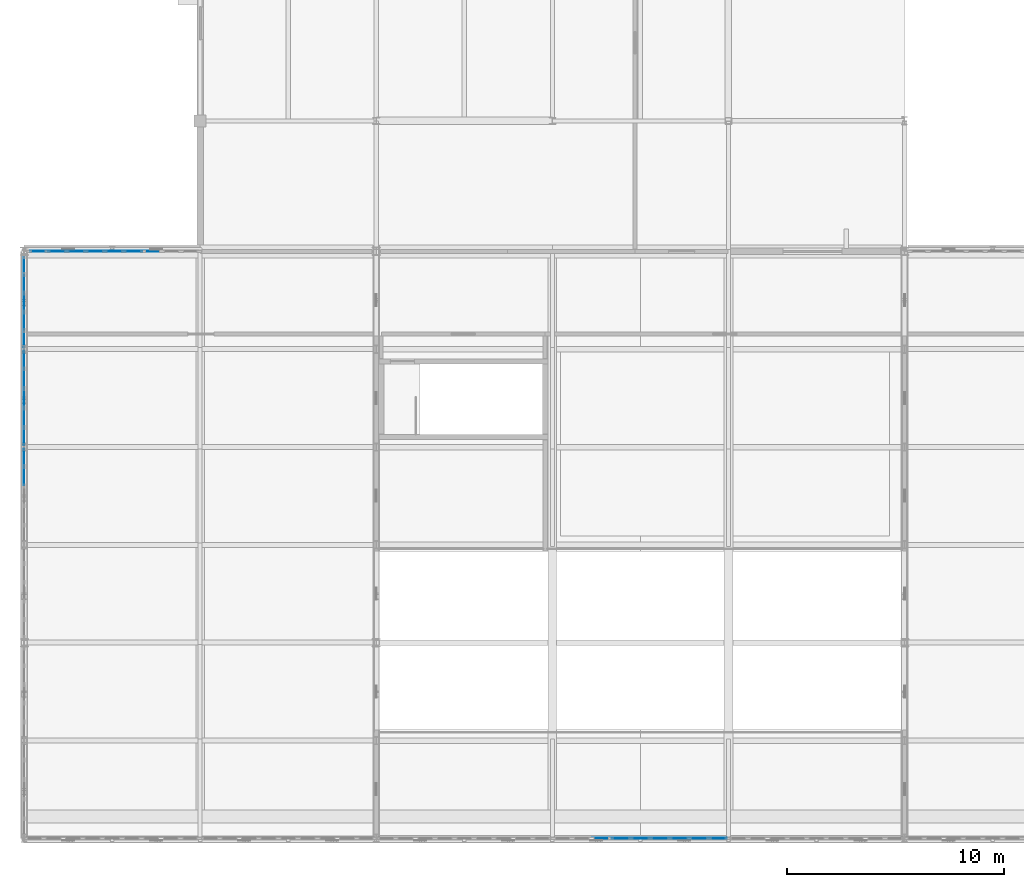
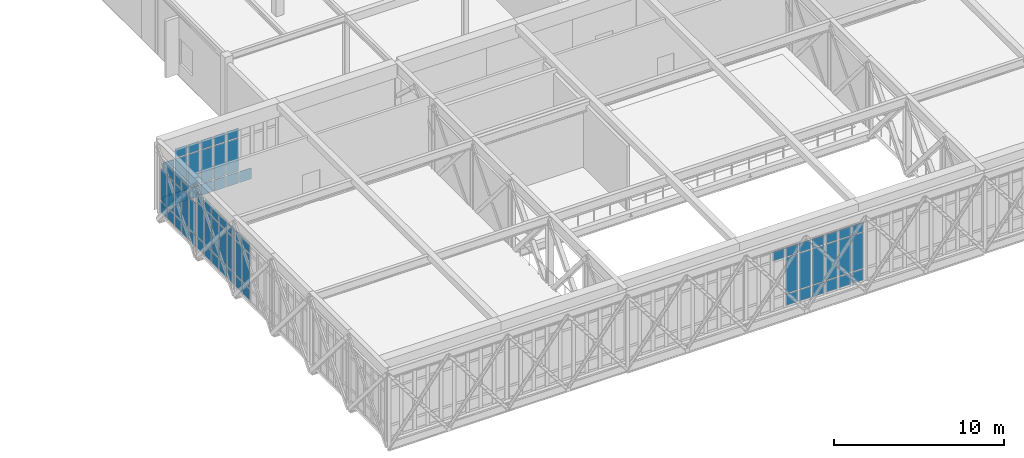
# One storey, part 42 of 70: 71 plates, 5 elements without a shape of their own.
"""IFC4 building model written with IfcOpenShell, lengths in metres."""

from ifc_helpers import new_model, si_unit, direction, frame, origin, origin_2d, place, context, subcontext, project, spatial, rectangle, extrude, material, layer, layer_set, type_object, element, aggregate, save


model = new_model("IFC4")

# Units and contexts
model_context = context("Model", 3, precision=1e-05, world=origin(), true_north=direction((0.0, 1.0)))
body_context = subcontext(model_context, "Body", "Model", "MODEL_VIEW")
ifc_project = project(units=[si_unit("LENGTHUNIT", "METRE"), si_unit("AREAUNIT", "SQUARE_METRE"), si_unit("VOLUMEUNIT", "CUBIC_METRE"), si_unit("PLANEANGLEUNIT", "RADIAN"), si_unit("MASSUNIT", "GRAM", prefix="KILO")], contexts=[model_context])

# Site, building, storey
site_placement = place(None, origin())
site = spatial("IfcSite", under=ifc_project, at=site_placement, CompositionType="ELEMENT")
building_placement = place(site_placement, origin())
building = spatial("IfcBuilding", under=site, at=building_placement, Name="Tarnveldt Square Police Headquarters", CompositionType="ELEMENT")
storey_placement = place(building_placement, frame((0.0, 0.0, 19.800048828125)))
storey = spatial("IfcBuildingStorey", under=building, at=storey_placement, Name="L04", CompositionType="ELEMENT", Elevation=19.800048828125)

# Curtain wall, plates
ifc_material_1 = material(Name="UL 752 Level III laminated ballistic vision glass", Category="glass")
curtain_wall_type_1 = type_object("IfcCurtainWallType", Name="CW-BL-810x429", PredefinedType="USERDEFINED", material=ifc_material_1)
curtain_wall_1_placement = place(storey_placement, origin())
curtain_wall_1 = element("IfcCurtainWall", 1, at=curtain_wall_1_placement, inside=storey, type_object=curtain_wall_type_1, Name="L04 Curtain Wall CW-L04-043", ObjectType="BALLISTIC CURTAIN WALL", PredefinedType="USERDEFINED")
ifc_layer_1 = layer(ifc_material_1, 0.0380859375)
ifc_layer_set_1 = layer_set([ifc_layer_1], Name="UL 752 Level III laminated ballistic vision glass")
plate_type_1 = type_object("IfcPlateType", Name="CWP-BAL-38", PredefinedType="CURTAIN_PANEL", material=ifc_layer_set_1)
plate_1_placement = place(storey_placement, frame((34.64990234375, 7.0, 3.576171875), z_axis=(0.0, 0.0, 1.0), x_axis=(1.0, 0.0, 0.0)))
plate_1 = element("IfcPlate", 2, at=plate_1_placement, type_object=plate_type_1, Name="CW-BL18 panel 3.3", PredefinedType="CURTAIN_PANEL", context=body_context, shape_type="SweptSolid", body=[
    extrude(rectangle(XDim=0.81494140625, YDim=0.0380859375, at=origin_2d()), origin(), (0.0, 0.0, 1.0), 0.637451171875),
])
plate_2_placement = place(storey_placement, frame((35.550048828125, 7.0, 0.074951171875), z_axis=(0.0, 0.0, 1.0), x_axis=(1.0, 0.0, 0.0)))
plate_2 = element("IfcPlate", 3, at=plate_2_placement, type_object=plate_type_1, Name="CW-BL18 panel 4.1", PredefinedType="CURTAIN_PANEL", context=body_context, shape_type="SweptSolid", body=[
    extrude(rectangle(XDim=0.81494140625, YDim=0.0380859375, at=origin_2d()), origin(), (0.0, 0.0, 1.0), 0.78759765625),
])
plate_3_placement = place(storey_placement, frame((35.550048828125, 7.0, 0.9375), z_axis=(0.0, 0.0, 1.0), x_axis=(1.0, 0.0, 0.0)))
plate_3 = element("IfcPlate", 4, at=plate_3_placement, type_object=plate_type_1, Name="CW-BL18 panel 4.2", PredefinedType="CURTAIN_PANEL", context=body_context, shape_type="SweptSolid", body=[
    extrude(rectangle(XDim=0.81494140625, YDim=0.0380859375, at=origin_2d()), origin(), (0.0, 0.0, 1.0), 2.5634765625),
])
plate_4_placement = place(storey_placement, frame((35.550048828125, 7.0, 3.576171875), z_axis=(0.0, 0.0, 1.0), x_axis=(1.0, 0.0, 0.0)))
plate_4 = element("IfcPlate", 5, at=plate_4_placement, type_object=plate_type_1, Name="CW-BL18 panel 4.3", PredefinedType="CURTAIN_PANEL", context=body_context, shape_type="SweptSolid", body=[
    extrude(rectangle(XDim=0.81494140625, YDim=0.0380859375, at=origin_2d()), origin(), (0.0, 0.0, 1.0), 0.637451171875),
])
plate_5_placement = place(storey_placement, frame((36.449951171875, 7.0, 0.074951171875), z_axis=(0.0, 0.0, 1.0), x_axis=(1.0, 0.0, 0.0)))
plate_5 = element("IfcPlate", 6, at=plate_5_placement, type_object=plate_type_1, Name="CW-BL18 panel 5.1", PredefinedType="CURTAIN_PANEL", context=body_context, shape_type="SweptSolid", body=[
    extrude(rectangle(XDim=0.81494140625, YDim=0.0380859375, at=origin_2d()), origin(), (0.0, 0.0, 1.0), 0.78759765625),
])
plate_6_placement = place(storey_placement, frame((36.449951171875, 7.0, 0.9375), z_axis=(0.0, 0.0, 1.0), x_axis=(1.0, 0.0, 0.0)))
plate_6 = element("IfcPlate", 7, at=plate_6_placement, type_object=plate_type_1, Name="CW-BL18 panel 5.2", PredefinedType="CURTAIN_PANEL", context=body_context, shape_type="SweptSolid", body=[
    extrude(rectangle(XDim=0.81494140625, YDim=0.0380859375, at=origin_2d()), origin(), (0.0, 0.0, 1.0), 2.5634765625),
])
plate_7_placement = place(storey_placement, frame((36.449951171875, 7.0, 3.576171875), z_axis=(0.0, 0.0, 1.0), x_axis=(1.0, 0.0, 0.0)))
plate_7 = element("IfcPlate", 8, at=plate_7_placement, type_object=plate_type_1, Name="CW-BL18 panel 5.3", PredefinedType="CURTAIN_PANEL", context=body_context, shape_type="SweptSolid", body=[
    extrude(rectangle(XDim=0.81494140625, YDim=0.0380859375, at=origin_2d()), origin(), (0.0, 0.0, 1.0), 0.637451171875),
])
plate_8_placement = place(storey_placement, frame((37.35009765625, 7.0, 0.074951171875), z_axis=(0.0, 0.0, 1.0), x_axis=(1.0, 0.0, 0.0)))
plate_8 = element("IfcPlate", 9, at=plate_8_placement, type_object=plate_type_1, Name="CW-BL18 panel 6.1", PredefinedType="CURTAIN_PANEL", context=body_context, shape_type="SweptSolid", body=[
    extrude(rectangle(XDim=0.81494140625, YDim=0.0380859375, at=origin_2d()), origin(), (0.0, 0.0, 1.0), 0.78759765625),
])
plate_9_placement = place(storey_placement, frame((37.35009765625, 7.0, 0.9375), z_axis=(0.0, 0.0, 1.0), x_axis=(1.0, 0.0, 0.0)))
plate_9 = element("IfcPlate", 10, at=plate_9_placement, type_object=plate_type_1, Name="CW-BL18 panel 6.2", PredefinedType="CURTAIN_PANEL", context=body_context, shape_type="SweptSolid", body=[
    extrude(rectangle(XDim=0.81494140625, YDim=0.0380859375, at=origin_2d()), origin(), (0.0, 0.0, 1.0), 2.5634765625),
])
plate_10_placement = place(storey_placement, frame((37.35009765625, 7.0, 3.576171875), z_axis=(0.0, 0.0, 1.0), x_axis=(1.0, 0.0, 0.0)))
plate_10 = element("IfcPlate", 11, at=plate_10_placement, type_object=plate_type_1, Name="CW-BL18 panel 6.3", PredefinedType="CURTAIN_PANEL", context=body_context, shape_type="SweptSolid", body=[
    extrude(rectangle(XDim=0.81494140625, YDim=0.0380859375, at=origin_2d()), origin(), (0.0, 0.0, 1.0), 0.637451171875),
])
plate_11_placement = place(storey_placement, frame((38.25, 7.0, 0.074951171875), z_axis=(0.0, 0.0, 1.0), x_axis=(1.0, 0.0, 0.0)))
plate_11 = element("IfcPlate", 12, at=plate_11_placement, type_object=plate_type_1, Name="CW-BL18 panel 7.1", PredefinedType="CURTAIN_PANEL", context=body_context, shape_type="SweptSolid", body=[
    extrude(rectangle(XDim=0.81494140625, YDim=0.0380859375, at=origin_2d()), origin(), (0.0, 0.0, 1.0), 0.78759765625),
])
plate_12_placement = place(storey_placement, frame((38.25, 7.0, 0.9375), z_axis=(0.0, 0.0, 1.0), x_axis=(1.0, 0.0, 0.0)))
plate_12 = element("IfcPlate", 13, at=plate_12_placement, type_object=plate_type_1, Name="CW-BL18 panel 7.2", PredefinedType="CURTAIN_PANEL", context=body_context, shape_type="SweptSolid", body=[
    extrude(rectangle(XDim=0.81494140625, YDim=0.0380859375, at=origin_2d()), origin(), (0.0, 0.0, 1.0), 2.5634765625),
])
plate_13_placement = place(storey_placement, frame((38.25, 7.0, 3.576171875), z_axis=(0.0, 0.0, 1.0), x_axis=(1.0, 0.0, 0.0)))
plate_13 = element("IfcPlate", 14, at=plate_13_placement, type_object=plate_type_1, Name="CW-BL18 panel 7.3", PredefinedType="CURTAIN_PANEL", context=body_context, shape_type="SweptSolid", body=[
    extrude(rectangle(XDim=0.81494140625, YDim=0.0380859375, at=origin_2d()), origin(), (0.0, 0.0, 1.0), 0.637451171875),
])
plate_14_placement = place(storey_placement, frame((39.14990234375, 7.0, 0.074951171875), z_axis=(0.0, 0.0, 1.0), x_axis=(1.0, 0.0, 0.0)))
plate_14 = element("IfcPlate", 15, at=plate_14_placement, type_object=plate_type_1, Name="CW-BL18 panel 8.1", PredefinedType="CURTAIN_PANEL", context=body_context, shape_type="SweptSolid", body=[
    extrude(rectangle(XDim=0.81494140625, YDim=0.0380859375, at=origin_2d()), origin(), (0.0, 0.0, 1.0), 0.78759765625),
])
plate_15_placement = place(storey_placement, frame((39.14990234375, 7.0, 0.9375), z_axis=(0.0, 0.0, 1.0), x_axis=(1.0, 0.0, 0.0)))
plate_15 = element("IfcPlate", 16, at=plate_15_placement, type_object=plate_type_1, Name="CW-BL18 panel 8.2", PredefinedType="CURTAIN_PANEL", context=body_context, shape_type="SweptSolid", body=[
    extrude(rectangle(XDim=0.81494140625, YDim=0.0380859375, at=origin_2d()), origin(), (0.0, 0.0, 1.0), 2.5634765625),
])
plate_16_placement = place(storey_placement, frame((39.14990234375, 7.0, 3.576171875), z_axis=(0.0, 0.0, 1.0), x_axis=(1.0, 0.0, 0.0)))
plate_16 = element("IfcPlate", 17, at=plate_16_placement, type_object=plate_type_1, Name="CW-BL18 panel 8.3", PredefinedType="CURTAIN_PANEL", context=body_context, shape_type="SweptSolid", body=[
    extrude(rectangle(XDim=0.81494140625, YDim=0.0380859375, at=origin_2d()), origin(), (0.0, 0.0, 1.0), 0.637451171875),
])
plate_17_placement = place(storey_placement, frame((40.02880859375, 7.0, 0.074951171875), z_axis=(0.0, 0.0, 1.0), x_axis=(1.0, 0.0, 0.0)))
plate_17 = element("IfcPlate", 18, at=plate_17_placement, type_object=plate_type_1, Name="CW-BL18 panel 9.1", PredefinedType="CURTAIN_PANEL", context=body_context, shape_type="SweptSolid", body=[
    extrude(rectangle(XDim=0.7724609375, YDim=0.0380859375, at=origin_2d()), origin(), (0.0, 0.0, 1.0), 0.78759765625),
])
plate_18_placement = place(storey_placement, frame((40.02880859375, 7.0, 0.9375), z_axis=(0.0, 0.0, 1.0), x_axis=(1.0, 0.0, 0.0)))
plate_18 = element("IfcPlate", 19, at=plate_18_placement, type_object=plate_type_1, Name="CW-BL18 panel 9.2", PredefinedType="CURTAIN_PANEL", context=body_context, shape_type="SweptSolid", body=[
    extrude(rectangle(XDim=0.7724609375, YDim=0.0380859375, at=origin_2d()), origin(), (0.0, 0.0, 1.0), 2.5634765625),
])
plate_19_placement = place(storey_placement, frame((40.02880859375, 7.0, 3.576171875), z_axis=(0.0, 0.0, 1.0), x_axis=(1.0, 0.0, 0.0)))
plate_19 = element("IfcPlate", 20, at=plate_19_placement, type_object=plate_type_1, Name="CW-BL18 panel 9.3", PredefinedType="CURTAIN_PANEL", context=body_context, shape_type="SweptSolid", body=[
    extrude(rectangle(XDim=0.7724609375, YDim=0.0380859375, at=origin_2d()), origin(), (0.0, 0.0, 1.0), 0.637451171875),
])
aggregate(curtain_wall_1, [plate_1, plate_2, plate_3, plate_4, plate_5, plate_6, plate_7, plate_8, plate_9, plate_10, plate_11, plate_12, plate_13, plate_14, plate_15, plate_16, plate_17, plate_18, plate_19])

curtain_wall_type_2 = type_object("IfcCurtainWallType", Name="CW-BL-790x409", PredefinedType="USERDEFINED", material=ifc_material_1)
curtain_wall_2_placement = place(storey_placement, origin())
curtain_wall_2 = element("IfcCurtainWall", 21, at=curtain_wall_2_placement, inside=storey, type_object=curtain_wall_type_2, Name="L04 Curtain Wall CW-L04-047", ObjectType="BALLISTIC CURTAIN WALL", PredefinedType="USERDEFINED")
plate_20_placement = place(storey_placement, frame((8.761962890625, 34.0, 0.074951171875), z_axis=(0.0, 0.0, 1.0), x_axis=(1.0, 0.0, 0.0)))
plate_20 = element("IfcPlate", 22, at=plate_20_placement, type_object=plate_type_1, Name="CW-BL19 panel 1.1", PredefinedType="CURTAIN_PANEL", context=body_context, shape_type="SweptSolid", body=[
    extrude(rectangle(XDim=0.75, YDim=0.0380859375, at=origin_2d()), origin(), (0.0, 0.0, 1.0), 0.78759765625),
])
plate_21_placement = place(storey_placement, frame((8.761962890625, 34.0, 0.9375), z_axis=(0.0, 0.0, 1.0), x_axis=(1.0, 0.0, 0.0)))
plate_21 = element("IfcPlate", 23, at=plate_21_placement, type_object=plate_type_1, Name="CW-BL19 panel 1.2", PredefinedType="CURTAIN_PANEL", context=body_context, shape_type="SweptSolid", body=[
    extrude(rectangle(XDim=0.75, YDim=0.0380859375, at=origin_2d()), origin(), (0.0, 0.0, 1.0), 2.366943359375),
])
plate_22_placement = place(storey_placement, frame((9.618408203125, 34.0, 0.074951171875), z_axis=(0.0, 0.0, 1.0), x_axis=(1.0, 0.0, 0.0)))
plate_22 = element("IfcPlate", 24, at=plate_22_placement, type_object=plate_type_1, Name="CW-BL19 panel 2.1", PredefinedType="CURTAIN_PANEL", context=body_context, shape_type="SweptSolid", body=[
    extrude(rectangle(XDim=0.79248046875, YDim=0.0380859375, at=origin_2d()), origin(), (0.0, 0.0, 1.0), 0.78759765625),
])
plate_23_placement = place(storey_placement, frame((9.618408203125, 34.0, 0.9375), z_axis=(0.0, 0.0, 1.0), x_axis=(1.0, 0.0, 0.0)))
plate_23 = element("IfcPlate", 25, at=plate_23_placement, type_object=plate_type_1, Name="CW-BL19 panel 2.2", PredefinedType="CURTAIN_PANEL", context=body_context, shape_type="SweptSolid", body=[
    extrude(rectangle(XDim=0.79248046875, YDim=0.0380859375, at=origin_2d()), origin(), (0.0, 0.0, 1.0), 2.366943359375),
])
plate_24_placement = place(storey_placement, frame((9.618408203125, 34.0, 3.37939453125), z_axis=(0.0, 0.0, 1.0), x_axis=(1.0, 0.0, 0.0)))
plate_24 = element("IfcPlate", 26, at=plate_24_placement, type_object=plate_type_1, Name="CW-BL19 panel 2.3", PredefinedType="CURTAIN_PANEL", context=body_context, shape_type="SweptSolid", body=[
    extrude(rectangle(XDim=0.79248046875, YDim=0.0380859375, at=origin_2d()), origin(), (0.0, 0.0, 1.0), 0.637451171875),
])
plate_25_placement = place(storey_placement, frame((10.495849609375, 34.0, 0.074951171875), z_axis=(0.0, 0.0, 1.0), x_axis=(1.0, 0.0, 0.0)))
plate_25 = element("IfcPlate", 27, at=plate_25_placement, type_object=plate_type_1, Name="CW-BL19 panel 3.1", PredefinedType="CURTAIN_PANEL", context=body_context, shape_type="SweptSolid", body=[
    extrude(rectangle(XDim=0.79248046875, YDim=0.0380859375, at=origin_2d()), origin(), (0.0, 0.0, 1.0), 0.78759765625),
])
plate_26_placement = place(storey_placement, frame((10.495849609375, 34.0, 0.9375), z_axis=(0.0, 0.0, 1.0), x_axis=(1.0, 0.0, 0.0)))
plate_26 = element("IfcPlate", 28, at=plate_26_placement, type_object=plate_type_1, Name="CW-BL19 panel 3.2", PredefinedType="CURTAIN_PANEL", context=body_context, shape_type="SweptSolid", body=[
    extrude(rectangle(XDim=0.79248046875, YDim=0.0380859375, at=origin_2d()), origin(), (0.0, 0.0, 1.0), 2.366943359375),
])
plate_27_placement = place(storey_placement, frame((10.495849609375, 34.0, 3.37939453125), z_axis=(0.0, 0.0, 1.0), x_axis=(1.0, 0.0, 0.0)))
plate_27 = element("IfcPlate", 29, at=plate_27_placement, type_object=plate_type_1, Name="CW-BL19 panel 3.3", PredefinedType="CURTAIN_PANEL", context=body_context, shape_type="SweptSolid", body=[
    extrude(rectangle(XDim=0.79248046875, YDim=0.0380859375, at=origin_2d()), origin(), (0.0, 0.0, 1.0), 0.637451171875),
])
plate_28_placement = place(storey_placement, frame((11.37353515625, 34.0, 0.074951171875), z_axis=(0.0, 0.0, 1.0), x_axis=(1.0, 0.0, 0.0)))
plate_28 = element("IfcPlate", 30, at=plate_28_placement, type_object=plate_type_1, Name="CW-BL19 panel 4.1", PredefinedType="CURTAIN_PANEL", context=body_context, shape_type="SweptSolid", body=[
    extrude(rectangle(XDim=0.79248046875, YDim=0.0380859375, at=origin_2d()), origin(), (0.0, 0.0, 1.0), 0.78759765625),
])
plate_29_placement = place(storey_placement, frame((11.37353515625, 34.0, 0.9375), z_axis=(0.0, 0.0, 1.0), x_axis=(1.0, 0.0, 0.0)))
plate_29 = element("IfcPlate", 31, at=plate_29_placement, type_object=plate_type_1, Name="CW-BL19 panel 4.2", PredefinedType="CURTAIN_PANEL", context=body_context, shape_type="SweptSolid", body=[
    extrude(rectangle(XDim=0.79248046875, YDim=0.0380859375, at=origin_2d()), origin(), (0.0, 0.0, 1.0), 2.366943359375),
])
plate_30_placement = place(storey_placement, frame((11.37353515625, 34.0, 3.37939453125), z_axis=(0.0, 0.0, 1.0), x_axis=(1.0, 0.0, 0.0)))
plate_30 = element("IfcPlate", 32, at=plate_30_placement, type_object=plate_type_1, Name="CW-BL19 panel 4.3", PredefinedType="CURTAIN_PANEL", context=body_context, shape_type="SweptSolid", body=[
    extrude(rectangle(XDim=0.79248046875, YDim=0.0380859375, at=origin_2d()), origin(), (0.0, 0.0, 1.0), 0.637451171875),
])
plate_31_placement = place(storey_placement, frame((12.2509765625, 34.0, 0.074951171875), z_axis=(0.0, 0.0, 1.0), x_axis=(1.0, 0.0, 0.0)))
plate_31 = element("IfcPlate", 33, at=plate_31_placement, type_object=plate_type_1, Name="CW-BL19 panel 5.1", PredefinedType="CURTAIN_PANEL", context=body_context, shape_type="SweptSolid", body=[
    extrude(rectangle(XDim=0.79248046875, YDim=0.0380859375, at=origin_2d()), origin(), (0.0, 0.0, 1.0), 0.78759765625),
])
plate_32_placement = place(storey_placement, frame((12.2509765625, 34.0, 0.9375), z_axis=(0.0, 0.0, 1.0), x_axis=(1.0, 0.0, 0.0)))
plate_32 = element("IfcPlate", 34, at=plate_32_placement, type_object=plate_type_1, Name="CW-BL19 panel 5.2", PredefinedType="CURTAIN_PANEL", context=body_context, shape_type="SweptSolid", body=[
    extrude(rectangle(XDim=0.79248046875, YDim=0.0380859375, at=origin_2d()), origin(), (0.0, 0.0, 1.0), 2.366943359375),
])
plate_33_placement = place(storey_placement, frame((12.2509765625, 34.0, 3.37939453125), z_axis=(0.0, 0.0, 1.0), x_axis=(1.0, 0.0, 0.0)))
plate_33 = element("IfcPlate", 35, at=plate_33_placement, type_object=plate_type_1, Name="CW-BL19 panel 5.3", PredefinedType="CURTAIN_PANEL", context=body_context, shape_type="SweptSolid", body=[
    extrude(rectangle(XDim=0.79248046875, YDim=0.0380859375, at=origin_2d()), origin(), (0.0, 0.0, 1.0), 0.637451171875),
])
plate_34_placement = place(storey_placement, frame((13.128662109375, 34.0, 0.074951171875), z_axis=(0.0, 0.0, 1.0), x_axis=(1.0, 0.0, 0.0)))
plate_34 = element("IfcPlate", 36, at=plate_34_placement, type_object=plate_type_1, Name="CW-BL19 panel 6.1", PredefinedType="CURTAIN_PANEL", context=body_context, shape_type="SweptSolid", body=[
    extrude(rectangle(XDim=0.79248046875, YDim=0.0380859375, at=origin_2d()), origin(), (0.0, 0.0, 1.0), 0.78759765625),
])
plate_35_placement = place(storey_placement, frame((13.128662109375, 34.0, 0.9375), z_axis=(0.0, 0.0, 1.0), x_axis=(1.0, 0.0, 0.0)))
plate_35 = element("IfcPlate", 37, at=plate_35_placement, type_object=plate_type_1, Name="CW-BL19 panel 6.2", PredefinedType="CURTAIN_PANEL", context=body_context, shape_type="SweptSolid", body=[
    extrude(rectangle(XDim=0.79248046875, YDim=0.0380859375, at=origin_2d()), origin(), (0.0, 0.0, 1.0), 2.366943359375),
])
plate_36_placement = place(storey_placement, frame((13.128662109375, 34.0, 3.37939453125), z_axis=(0.0, 0.0, 1.0), x_axis=(1.0, 0.0, 0.0)))
plate_36 = element("IfcPlate", 38, at=plate_36_placement, type_object=plate_type_1, Name="CW-BL19 panel 6.3", PredefinedType="CURTAIN_PANEL", context=body_context, shape_type="SweptSolid", body=[
    extrude(rectangle(XDim=0.79248046875, YDim=0.0380859375, at=origin_2d()), origin(), (0.0, 0.0, 1.0), 0.637451171875),
])
plate_37_placement = place(storey_placement, frame((14.006103515625, 34.0, 0.074951171875), z_axis=(0.0, 0.0, 1.0), x_axis=(1.0, 0.0, 0.0)))
plate_37 = element("IfcPlate", 39, at=plate_37_placement, type_object=plate_type_1, Name="CW-BL19 panel 7.1", PredefinedType="CURTAIN_PANEL", context=body_context, shape_type="SweptSolid", body=[
    extrude(rectangle(XDim=0.79248046875, YDim=0.0380859375, at=origin_2d()), origin(), (0.0, 0.0, 1.0), 0.78759765625),
])
aggregate(curtain_wall_2, [plate_20, plate_21, plate_22, plate_23, plate_24, plate_25, plate_26, plate_27, plate_28, plate_29, plate_30, plate_31, plate_32, plate_33, plate_34, plate_35, plate_36, plate_37])

ifc_material_2 = material(Name="Triple-glazed low-e laminated vision glass", Category="glass")
curtain_wall_type_3 = type_object("IfcCurtainWallType", Name="CW-LT-450x417", PredefinedType="USERDEFINED", material=ifc_material_2)
curtain_wall_3_placement = place(storey_placement, origin())
curtain_wall_3 = element("IfcCurtainWall", 40, at=curtain_wall_3_placement, inside=storey, type_object=curtain_wall_type_3, Name="L04 Curtain Wall CW-L04-053", ObjectType="GLAZED CURTAIN WALL", PredefinedType="USERDEFINED")
ifc_layer_2 = layer(ifc_material_2, 0.028076171875)
ifc_layer_set_2 = layer_set([ifc_layer_2], Name="Triple-glazed low-e laminated vision glass")
plate_type_2 = type_object("IfcPlateType", Name="CWP-VIS-28", PredefinedType="CURTAIN_PANEL", material=ifc_layer_set_2)
plate_38_placement = place(storey_placement, frame((8.10009765625, 23.64990234375, 0.074951171875), z_axis=(0.0, 0.0, 1.0), x_axis=(0.0, 1.0, 0.0)))
plate_38 = element("IfcPlate", 41, at=plate_38_placement, type_object=plate_type_2, Name="CW-LT22 panel 4.1", PredefinedType="CURTAIN_PANEL", context=body_context, shape_type="SweptSolid", body=[
    extrude(rectangle(XDim=0.824951171875, YDim=0.028076171875, at=origin_2d()), origin(), (0.0, 0.0, 1.0), 0.78759765625),
])
plate_39_placement = place(storey_placement, frame((8.10009765625, 23.64990234375, 0.9375), z_axis=(0.0, 0.0, 1.0), x_axis=(0.0, 1.0, 0.0)))
plate_39 = element("IfcPlate", 42, at=plate_39_placement, type_object=plate_type_2, Name="CW-LT22 panel 4.2", PredefinedType="CURTAIN_PANEL", context=body_context, shape_type="SweptSolid", body=[
    extrude(rectangle(XDim=0.824951171875, YDim=0.028076171875, at=origin_2d()), origin(), (0.0, 0.0, 1.0), 2.447998046875),
])
plate_40_placement = place(storey_placement, frame((8.10009765625, 23.64990234375, 3.46044921875), z_axis=(0.0, 0.0, 1.0), x_axis=(0.0, 1.0, 0.0)))
plate_40 = element("IfcPlate", 43, at=plate_40_placement, type_object=plate_type_2, Name="CW-LT22 panel 4.3", PredefinedType="CURTAIN_PANEL", context=body_context, shape_type="SweptSolid", body=[
    extrude(rectangle(XDim=0.824951171875, YDim=0.028076171875, at=origin_2d()), origin(), (0.0, 0.0, 1.0), 0.637451171875),
])
plate_41_placement = place(storey_placement, frame((8.10009765625, 24.53125, 0.074951171875), z_axis=(0.0, 0.0, 1.0), x_axis=(0.0, 1.0, 0.0)))
plate_41 = element("IfcPlate", 44, at=plate_41_placement, type_object=plate_type_2, Name="CW-LT22 panel 5.1", PredefinedType="CURTAIN_PANEL", context=body_context, shape_type="SweptSolid", body=[
    extrude(rectangle(XDim=0.78759765625, YDim=0.028076171875, at=origin_2d()), origin(), (0.0, 0.0, 1.0), 0.78759765625),
])
plate_42_placement = place(storey_placement, frame((8.10009765625, 24.53125, 0.9375), z_axis=(0.0, 0.0, 1.0), x_axis=(0.0, 1.0, 0.0)))
plate_42 = element("IfcPlate", 45, at=plate_42_placement, type_object=plate_type_2, Name="CW-LT22 panel 5.2", PredefinedType="CURTAIN_PANEL", context=body_context, shape_type="SweptSolid", body=[
    extrude(rectangle(XDim=0.78759765625, YDim=0.028076171875, at=origin_2d()), origin(), (0.0, 0.0, 1.0), 2.447998046875),
])
plate_43_placement = place(storey_placement, frame((8.10009765625, 24.53125, 3.46044921875), z_axis=(0.0, 0.0, 1.0), x_axis=(0.0, 1.0, 0.0)))
plate_43 = element("IfcPlate", 46, at=plate_43_placement, type_object=plate_type_2, Name="CW-LT22 panel 5.3", PredefinedType="CURTAIN_PANEL", context=body_context, shape_type="SweptSolid", body=[
    extrude(rectangle(XDim=0.78759765625, YDim=0.028076171875, at=origin_2d()), origin(), (0.0, 0.0, 1.0), 0.637451171875),
])
aggregate(curtain_wall_3, [plate_38, plate_39, plate_40, plate_41, plate_42, plate_43])

curtain_wall_4_placement = place(storey_placement, origin())
curtain_wall_4 = element("IfcCurtainWall", 47, at=curtain_wall_4_placement, inside=storey, type_object=curtain_wall_type_3, Name="L04 Curtain Wall CW-L04-054", ObjectType="GLAZED CURTAIN WALL", PredefinedType="USERDEFINED")
plate_44_placement = place(storey_placement, frame((8.10009765625, 25.46875, 0.074951171875), z_axis=(0.0, 0.0, 1.0), x_axis=(0.0, 1.0, 0.0)))
plate_44 = element("IfcPlate", 48, at=plate_44_placement, type_object=plate_type_2, Name="CW-LT22 panel 1.1", PredefinedType="CURTAIN_PANEL", context=body_context, shape_type="SweptSolid", body=[
    extrude(rectangle(XDim=0.78759765625, YDim=0.028076171875, at=origin_2d()), origin(), (0.0, 0.0, 1.0), 0.78759765625),
])
plate_45_placement = place(storey_placement, frame((8.10009765625, 25.46875, 0.9375), z_axis=(0.0, 0.0, 1.0), x_axis=(0.0, 1.0, 0.0)))
plate_45 = element("IfcPlate", 49, at=plate_45_placement, type_object=plate_type_2, Name="CW-LT22 panel 1.2", PredefinedType="CURTAIN_PANEL", context=body_context, shape_type="SweptSolid", body=[
    extrude(rectangle(XDim=0.78759765625, YDim=0.028076171875, at=origin_2d()), origin(), (0.0, 0.0, 1.0), 2.447998046875),
])
plate_46_placement = place(storey_placement, frame((8.10009765625, 25.46875, 3.46044921875), z_axis=(0.0, 0.0, 1.0), x_axis=(0.0, 1.0, 0.0)))
plate_46 = element("IfcPlate", 50, at=plate_46_placement, type_object=plate_type_2, Name="CW-LT22 panel 1.3", PredefinedType="CURTAIN_PANEL", context=body_context, shape_type="SweptSolid", body=[
    extrude(rectangle(XDim=0.78759765625, YDim=0.028076171875, at=origin_2d()), origin(), (0.0, 0.0, 1.0), 0.637451171875),
])
plate_47_placement = place(storey_placement, frame((8.10009765625, 26.35009765625, 0.074951171875), z_axis=(0.0, 0.0, 1.0), x_axis=(0.0, 1.0, 0.0)))
plate_47 = element("IfcPlate", 51, at=plate_47_placement, type_object=plate_type_2, Name="CW-LT22 panel 2.1", PredefinedType="CURTAIN_PANEL", context=body_context, shape_type="SweptSolid", body=[
    extrude(rectangle(XDim=0.824951171875, YDim=0.028076171875, at=origin_2d()), origin(), (0.0, 0.0, 1.0), 0.78759765625),
])
plate_48_placement = place(storey_placement, frame((8.10009765625, 26.35009765625, 0.9375), z_axis=(0.0, 0.0, 1.0), x_axis=(0.0, 1.0, 0.0)))
plate_48 = element("IfcPlate", 52, at=plate_48_placement, type_object=plate_type_2, Name="CW-LT22 panel 2.2", PredefinedType="CURTAIN_PANEL", context=body_context, shape_type="SweptSolid", body=[
    extrude(rectangle(XDim=0.824951171875, YDim=0.028076171875, at=origin_2d()), origin(), (0.0, 0.0, 1.0), 2.447998046875),
])
plate_49_placement = place(storey_placement, frame((8.10009765625, 26.35009765625, 3.46044921875), z_axis=(0.0, 0.0, 1.0), x_axis=(0.0, 1.0, 0.0)))
plate_49 = element("IfcPlate", 53, at=plate_49_placement, type_object=plate_type_2, Name="CW-LT22 panel 2.3", PredefinedType="CURTAIN_PANEL", context=body_context, shape_type="SweptSolid", body=[
    extrude(rectangle(XDim=0.824951171875, YDim=0.028076171875, at=origin_2d()), origin(), (0.0, 0.0, 1.0), 0.637451171875),
])
plate_50_placement = place(storey_placement, frame((8.10009765625, 27.25, 0.074951171875), z_axis=(0.0, 0.0, 1.0), x_axis=(0.0, 1.0, 0.0)))
plate_50 = element("IfcPlate", 54, at=plate_50_placement, type_object=plate_type_2, Name="CW-LT22 panel 3.1", PredefinedType="CURTAIN_PANEL", context=body_context, shape_type="SweptSolid", body=[
    extrude(rectangle(XDim=0.824951171875, YDim=0.028076171875, at=origin_2d()), origin(), (0.0, 0.0, 1.0), 0.78759765625),
])
plate_51_placement = place(storey_placement, frame((8.10009765625, 27.25, 0.9375), z_axis=(0.0, 0.0, 1.0), x_axis=(0.0, 1.0, 0.0)))
plate_51 = element("IfcPlate", 55, at=plate_51_placement, type_object=plate_type_2, Name="CW-LT22 panel 3.2", PredefinedType="CURTAIN_PANEL", context=body_context, shape_type="SweptSolid", body=[
    extrude(rectangle(XDim=0.824951171875, YDim=0.028076171875, at=origin_2d()), origin(), (0.0, 0.0, 1.0), 2.447998046875),
])
plate_52_placement = place(storey_placement, frame((8.10009765625, 27.25, 3.46044921875), z_axis=(0.0, 0.0, 1.0), x_axis=(0.0, 1.0, 0.0)))
plate_52 = element("IfcPlate", 56, at=plate_52_placement, type_object=plate_type_2, Name="CW-LT22 panel 3.3", PredefinedType="CURTAIN_PANEL", context=body_context, shape_type="SweptSolid", body=[
    extrude(rectangle(XDim=0.824951171875, YDim=0.028076171875, at=origin_2d()), origin(), (0.0, 0.0, 1.0), 0.637451171875),
])
plate_53_placement = place(storey_placement, frame((8.10009765625, 28.14990234375, 0.074951171875), z_axis=(0.0, 0.0, 1.0), x_axis=(0.0, 1.0, 0.0)))
plate_53 = element("IfcPlate", 57, at=plate_53_placement, type_object=plate_type_2, Name="CW-LT22 panel 4.1", PredefinedType="CURTAIN_PANEL", context=body_context, shape_type="SweptSolid", body=[
    extrude(rectangle(XDim=0.824951171875, YDim=0.028076171875, at=origin_2d()), origin(), (0.0, 0.0, 1.0), 0.78759765625),
])
plate_54_placement = place(storey_placement, frame((8.10009765625, 28.14990234375, 0.9375), z_axis=(0.0, 0.0, 1.0), x_axis=(0.0, 1.0, 0.0)))
plate_54 = element("IfcPlate", 58, at=plate_54_placement, type_object=plate_type_2, Name="CW-LT22 panel 4.2", PredefinedType="CURTAIN_PANEL", context=body_context, shape_type="SweptSolid", body=[
    extrude(rectangle(XDim=0.824951171875, YDim=0.028076171875, at=origin_2d()), origin(), (0.0, 0.0, 1.0), 2.447998046875),
])
plate_55_placement = place(storey_placement, frame((8.10009765625, 28.14990234375, 3.46044921875), z_axis=(0.0, 0.0, 1.0), x_axis=(0.0, 1.0, 0.0)))
plate_55 = element("IfcPlate", 59, at=plate_55_placement, type_object=plate_type_2, Name="CW-LT22 panel 4.3", PredefinedType="CURTAIN_PANEL", context=body_context, shape_type="SweptSolid", body=[
    extrude(rectangle(XDim=0.824951171875, YDim=0.028076171875, at=origin_2d()), origin(), (0.0, 0.0, 1.0), 0.637451171875),
])
plate_56_placement = place(storey_placement, frame((8.10009765625, 29.03125, 0.074951171875), z_axis=(0.0, 0.0, 1.0), x_axis=(0.0, 1.0, 0.0)))
plate_56 = element("IfcPlate", 60, at=plate_56_placement, type_object=plate_type_2, Name="CW-LT22 panel 5.1", PredefinedType="CURTAIN_PANEL", context=body_context, shape_type="SweptSolid", body=[
    extrude(rectangle(XDim=0.78759765625, YDim=0.028076171875, at=origin_2d()), origin(), (0.0, 0.0, 1.0), 0.78759765625),
])
plate_57_placement = place(storey_placement, frame((8.10009765625, 29.03125, 0.9375), z_axis=(0.0, 0.0, 1.0), x_axis=(0.0, 1.0, 0.0)))
plate_57 = element("IfcPlate", 61, at=plate_57_placement, type_object=plate_type_2, Name="CW-LT22 panel 5.2", PredefinedType="CURTAIN_PANEL", context=body_context, shape_type="SweptSolid", body=[
    extrude(rectangle(XDim=0.78759765625, YDim=0.028076171875, at=origin_2d()), origin(), (0.0, 0.0, 1.0), 2.447998046875),
])
plate_58_placement = place(storey_placement, frame((8.10009765625, 29.03125, 3.46044921875), z_axis=(0.0, 0.0, 1.0), x_axis=(0.0, 1.0, 0.0)))
plate_58 = element("IfcPlate", 62, at=plate_58_placement, type_object=plate_type_2, Name="CW-LT22 panel 5.3", PredefinedType="CURTAIN_PANEL", context=body_context, shape_type="SweptSolid", body=[
    extrude(rectangle(XDim=0.78759765625, YDim=0.028076171875, at=origin_2d()), origin(), (0.0, 0.0, 1.0), 0.637451171875),
])
aggregate(curtain_wall_4, [plate_44, plate_45, plate_46, plate_47, plate_48, plate_49, plate_50, plate_51, plate_52, plate_53, plate_54, plate_55, plate_56, plate_57, plate_58])

curtain_wall_type_4 = type_object("IfcCurtainWallType", Name="CW-LT-430x395", PredefinedType="USERDEFINED", material=ifc_material_2)
curtain_wall_5_placement = place(storey_placement, origin())
curtain_wall_5 = element("IfcCurtainWall", 63, at=curtain_wall_5_placement, inside=storey, type_object=curtain_wall_type_4, Name="L04 Curtain Wall CW-L04-055", ObjectType="GLAZED CURTAIN WALL", PredefinedType="USERDEFINED")
plate_59_placement = place(storey_placement, frame((8.10009765625, 29.948486328125, 0.074951171875), z_axis=(0.0, 0.0, 1.0), x_axis=(0.0, 1.0, 0.0)))
plate_59 = element("IfcPlate", 64, at=plate_59_placement, type_object=plate_type_2, Name="CW-LT23 panel 1.1", PredefinedType="CURTAIN_PANEL", context=body_context, shape_type="SweptSolid", body=[
    extrude(rectangle(XDim=0.7470703125, YDim=0.028076171875, at=origin_2d()), origin(), (0.0, 0.0, 1.0), 0.78759765625),
])
plate_60_placement = place(storey_placement, frame((8.10009765625, 29.948486328125, 0.9375), z_axis=(0.0, 0.0, 1.0), x_axis=(0.0, 1.0, 0.0)))
plate_60 = element("IfcPlate", 65, at=plate_60_placement, type_object=plate_type_2, Name="CW-LT23 panel 1.2", PredefinedType="CURTAIN_PANEL", context=body_context, shape_type="SweptSolid", body=[
    extrude(rectangle(XDim=0.7470703125, YDim=0.028076171875, at=origin_2d()), origin(), (0.0, 0.0, 1.0), 2.22705078125),
])
plate_61_placement = place(storey_placement, frame((8.10009765625, 30.789306640625, 0.074951171875), z_axis=(0.0, 0.0, 1.0), x_axis=(0.0, 1.0, 0.0)))
plate_61 = element("IfcPlate", 66, at=plate_61_placement, type_object=plate_type_2, Name="CW-LT23 panel 2.1", PredefinedType="CURTAIN_PANEL", context=body_context, shape_type="SweptSolid", body=[
    extrude(rectangle(XDim=0.78466796875, YDim=0.028076171875, at=origin_2d()), origin(), (0.0, 0.0, 1.0), 0.78759765625),
])
plate_62_placement = place(storey_placement, frame((8.10009765625, 30.789306640625, 0.9375), z_axis=(0.0, 0.0, 1.0), x_axis=(0.0, 1.0, 0.0)))
plate_62 = element("IfcPlate", 67, at=plate_62_placement, type_object=plate_type_2, Name="CW-LT23 panel 2.2", PredefinedType="CURTAIN_PANEL", context=body_context, shape_type="SweptSolid", body=[
    extrude(rectangle(XDim=0.78466796875, YDim=0.028076171875, at=origin_2d()), origin(), (0.0, 0.0, 1.0), 2.22705078125),
])
plate_63_placement = place(storey_placement, frame((8.10009765625, 30.789306640625, 3.2392578125), z_axis=(0.0, 0.0, 1.0), x_axis=(0.0, 1.0, 0.0)))
plate_63 = element("IfcPlate", 68, at=plate_63_placement, type_object=plate_type_2, Name="CW-LT23 panel 2.3", PredefinedType="CURTAIN_PANEL", context=body_context, shape_type="SweptSolid", body=[
    extrude(rectangle(XDim=0.78466796875, YDim=0.028076171875, at=origin_2d()), origin(), (0.0, 0.0, 1.0), 0.637451171875),
])
plate_64_placement = place(storey_placement, frame((8.10009765625, 31.64892578125, 0.074951171875), z_axis=(0.0, 0.0, 1.0), x_axis=(0.0, 1.0, 0.0)))
plate_64 = element("IfcPlate", 69, at=plate_64_placement, type_object=plate_type_2, Name="CW-LT23 panel 3.1", PredefinedType="CURTAIN_PANEL", context=body_context, shape_type="SweptSolid", body=[
    extrude(rectangle(XDim=0.78466796875, YDim=0.028076171875, at=origin_2d()), origin(), (0.0, 0.0, 1.0), 0.78759765625),
])
plate_65_placement = place(storey_placement, frame((8.10009765625, 31.64892578125, 0.9375), z_axis=(0.0, 0.0, 1.0), x_axis=(0.0, 1.0, 0.0)))
plate_65 = element("IfcPlate", 70, at=plate_65_placement, type_object=plate_type_2, Name="CW-LT23 panel 3.2", PredefinedType="CURTAIN_PANEL", context=body_context, shape_type="SweptSolid", body=[
    extrude(rectangle(XDim=0.78466796875, YDim=0.028076171875, at=origin_2d()), origin(), (0.0, 0.0, 1.0), 2.22705078125),
])
plate_66_placement = place(storey_placement, frame((8.10009765625, 31.64892578125, 3.2392578125), z_axis=(0.0, 0.0, 1.0), x_axis=(0.0, 1.0, 0.0)))
plate_66 = element("IfcPlate", 71, at=plate_66_placement, type_object=plate_type_2, Name="CW-LT23 panel 3.3", PredefinedType="CURTAIN_PANEL", context=body_context, shape_type="SweptSolid", body=[
    extrude(rectangle(XDim=0.78466796875, YDim=0.028076171875, at=origin_2d()), origin(), (0.0, 0.0, 1.0), 0.637451171875),
])
plate_67_placement = place(storey_placement, frame((8.10009765625, 32.508544921875, 0.074951171875), z_axis=(0.0, 0.0, 1.0), x_axis=(0.0, 1.0, 0.0)))
plate_67 = element("IfcPlate", 72, at=plate_67_placement, type_object=plate_type_2, Name="CW-LT23 panel 4.1", PredefinedType="CURTAIN_PANEL", context=body_context, shape_type="SweptSolid", body=[
    extrude(rectangle(XDim=0.78466796875, YDim=0.028076171875, at=origin_2d()), origin(), (0.0, 0.0, 1.0), 0.78759765625),
])
plate_68_placement = place(storey_placement, frame((8.10009765625, 32.508544921875, 0.9375), z_axis=(0.0, 0.0, 1.0), x_axis=(0.0, 1.0, 0.0)))
plate_68 = element("IfcPlate", 73, at=plate_68_placement, type_object=plate_type_2, Name="CW-LT23 panel 4.2", PredefinedType="CURTAIN_PANEL", context=body_context, shape_type="SweptSolid", body=[
    extrude(rectangle(XDim=0.78466796875, YDim=0.028076171875, at=origin_2d()), origin(), (0.0, 0.0, 1.0), 2.22705078125),
])
plate_69_placement = place(storey_placement, frame((8.10009765625, 32.508544921875, 3.2392578125), z_axis=(0.0, 0.0, 1.0), x_axis=(0.0, 1.0, 0.0)))
plate_69 = element("IfcPlate", 74, at=plate_69_placement, type_object=plate_type_2, Name="CW-LT23 panel 4.3", PredefinedType="CURTAIN_PANEL", context=body_context, shape_type="SweptSolid", body=[
    extrude(rectangle(XDim=0.78466796875, YDim=0.028076171875, at=origin_2d()), origin(), (0.0, 0.0, 1.0), 0.637451171875),
])
plate_70_placement = place(storey_placement, frame((8.10009765625, 33.349365234375, 0.074951171875), z_axis=(0.0, 0.0, 1.0), x_axis=(0.0, 1.0, 0.0)))
plate_70 = element("IfcPlate", 75, at=plate_70_placement, type_object=plate_type_2, Name="CW-LT23 panel 5.1", PredefinedType="CURTAIN_PANEL", context=body_context, shape_type="SweptSolid", body=[
    extrude(rectangle(XDim=0.7470703125, YDim=0.028076171875, at=origin_2d()), origin(), (0.0, 0.0, 1.0), 0.78759765625),
])
plate_71_placement = place(storey_placement, frame((8.10009765625, 33.349365234375, 0.9375), z_axis=(0.0, 0.0, 1.0), x_axis=(0.0, 1.0, 0.0)))
plate_71 = element("IfcPlate", 76, at=plate_71_placement, type_object=plate_type_2, Name="CW-LT23 panel 5.2", PredefinedType="CURTAIN_PANEL", context=body_context, shape_type="SweptSolid", body=[
    extrude(rectangle(XDim=0.7470703125, YDim=0.028076171875, at=origin_2d()), origin(), (0.0, 0.0, 1.0), 2.22705078125),
])
aggregate(curtain_wall_5, [plate_59, plate_60, plate_61, plate_62, plate_63, plate_64, plate_65, plate_66, plate_67, plate_68, plate_69, plate_70, plate_71])

save(model, "model.ifc")
